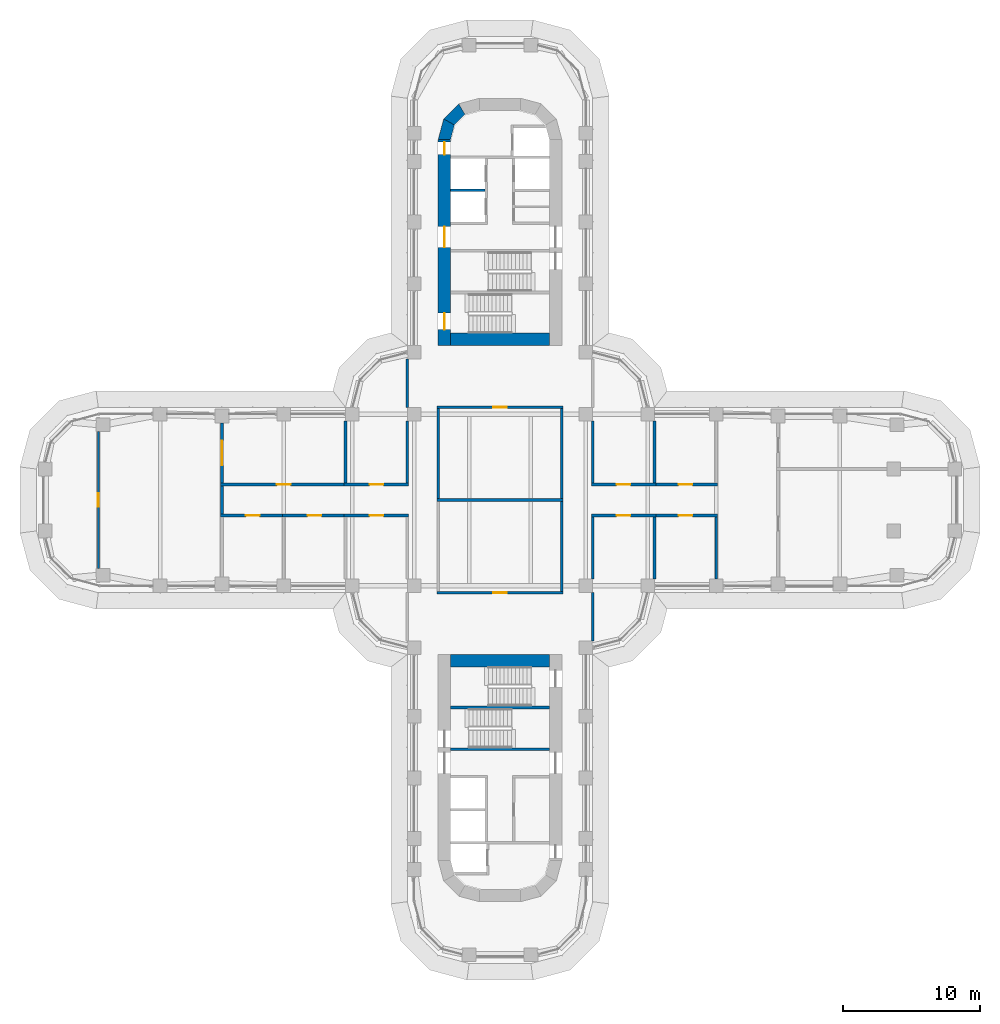
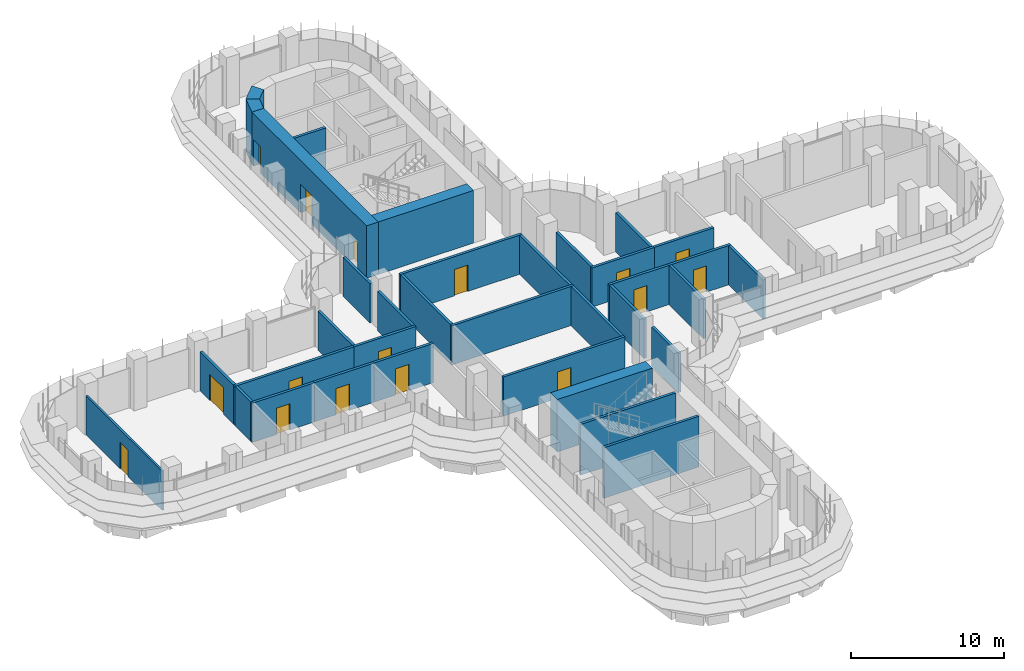
# One storey, part 17 of 23: 35 walls, 16 doors, 16 openings.
"""IFC4 building model written with IfcOpenShell, lengths in metres."""

from ifc_helpers import new_model, si_unit, direction, frame, frame_2d, origin, place, context, subcontext, project, spatial, polyline, rectangle, outline, extrude, material, layer, layer_set, type_object, element, fill, save


model = new_model("IFC4")

# Units and contexts
model_context = context("Model", 3, precision=1e-05, world=origin(), true_north=direction((0.0, 1.0)))
body_context = subcontext(model_context, "Body", "Model", "MODEL_VIEW")
ifc_project = project(units=[si_unit("LENGTHUNIT", "METRE"), si_unit("AREAUNIT", "SQUARE_METRE"), si_unit("VOLUMEUNIT", "CUBIC_METRE"), si_unit("PLANEANGLEUNIT", "RADIAN"), si_unit("MASSUNIT", "GRAM", prefix="KILO")], contexts=[model_context])

# Site, building, storey
site_placement = place(None, origin())
site = spatial("IfcSite", under=ifc_project, at=site_placement, CompositionType="ELEMENT")
building_placement = place(site_placement, origin())
building = spatial("IfcBuilding", under=site, at=building_placement, Name="Zarbagh Exchange Tower", CompositionType="ELEMENT")
storey_placement = place(building_placement, frame((0.0, 0.0, 48.0)))
storey = spatial("IfcBuildingStorey", under=building, at=storey_placement, Name="L10", CompositionType="ELEMENT", Elevation=48.0)

# Wall, opening, door
ifc_material_1 = material(Name="Plasterboard partition")
ifc_layer_1 = layer(ifc_material_1, 0.14990234375)
ifc_layer_set_1 = layer_set([ifc_layer_1], Name="PARTITION 150")
wall_type_1 = type_object("IfcWallType", Name="PARTITION 150", PredefinedType="PARTITIONING", material=ifc_layer_set_1)
wall_1_placement = place(storey_placement, frame((-29.25, -4.97509765625, 0.0), z_axis=(0.0, 0.0, 1.0), x_axis=(0.0, 1.0, 0.0)))
wall_1 = element("IfcWall", 1, at=wall_1_placement, inside=storey, type_object=wall_type_1, Name="Partition W-339", PredefinedType="PARTITIONING", context=body_context, shape_type="SweptSolid", body=[
    extrude(rectangle(XDim=9.9501953125, YDim=0.14990234375, at=frame_2d((4.97509765625, 0.0))), origin(), (0.0, 0.0, 1.0), 3.130615234375),
])
opening_1_placement = place(wall_1_placement, frame((4.47509765625, 0.0, 0.0)))
opening_1 = element("IfcOpeningElement", 2, at=opening_1_placement, cuts=wall_1, Name="Opening D-309", PredefinedType="OPENING", context=body_context, shape_type="SweptSolid", body=[
    extrude(rectangle(XDim=1.0, YDim=2.10009765625, at=frame_2d((0.5, 1.050048828125))), frame((0.0, 0.0849609375, 0.0), z_axis=(0.0, -1.0, 0.0), x_axis=(1.0, 0.0, 0.0)), (0.0, 0.0, 1.0), 0.169921875),
])
ifc_material_2 = material(Name="Timber door leaf", Category="wood")
door_type_1 = type_object("IfcDoorType", Name="DOOR 1000 X 2100", OperationType="NOTDEFINED", PredefinedType="DOOR", material=ifc_material_2)
door_1_placement = place(opening_1_placement, origin())
door_1 = element("IfcDoor", 3, at=door_1_placement, inside=storey, type_object=door_type_1, Name="Door D-309", OperationType="SINGLE_SWING_RIGHT", OverallHeight=2.10009765625, OverallWidth=1.0, PredefinedType="DOOR", context=body_context, shape_type="SweptSolid", body=[
    extrude(rectangle(XDim=1.0, YDim=2.10009765625, at=frame_2d((0.5, 1.050048828125))), frame((0.0, 0.02490234375, 0.0), z_axis=(0.0, -1.0, 0.0), x_axis=(1.0, 0.0, 0.0)), (0.0, 0.0, 1.0), 0.050048828125),
])
fill(opening_1, door_1)

# Walls
ifc_material_3 = material(Name="Fire-rated plasterboard partition")
ifc_layer_2 = layer(ifc_material_3, 0.199951171875)
ifc_layer_set_2 = layer_set([ifc_layer_2], Name="RATED PARTITION 200")
wall_type_2 = type_object("IfcWallType", Name="RATED PARTITION 200", PredefinedType="PARTITIONING", material=ifc_layer_set_2)
wall_2_placement = place(storey_placement, frame((-4.5, 0.10009765625, 0.0), z_axis=(0.0, 0.0, 1.0), x_axis=(0.0, 1.0, 0.0)))
element("IfcWall", 4, at=wall_2_placement, inside=storey, type_object=wall_type_2, Name="Partition W-301", PredefinedType="PARTITIONING", context=body_context, shape_type="SweptSolid", body=[
    extrude(rectangle(XDim=6.5498046875, YDim=0.199951171875, at=frame_2d((3.27490234375, 0.0))), origin(), (0.0, 0.0, 1.0), 3.130615234375),
])
wall_3_placement = place(storey_placement, frame((-6.75, 1.22509765625, 0.0), z_axis=(0.0, 0.0, 1.0), x_axis=(0.0, 1.0, 0.0)))
element("IfcWall", 5, at=wall_3_placement, inside=storey, type_object=wall_type_2, Name="Partition W-303", PredefinedType="PARTITIONING", context=body_context, shape_type="SweptSolid", body=[
    extrude(rectangle(XDim=4.52490234375, YDim=0.199951171875, at=frame_2d((2.262451171875, 0.0))), origin(), (0.0, 0.0, 1.0), 3.130615234375),
])
wall_4_placement = place(storey_placement, frame((-6.75, 6.75, 0.0), z_axis=(0.0, 0.0, 1.0), x_axis=(0.0, 1.0, 0.0)))
element("IfcWall", 6, at=wall_4_placement, inside=storey, type_object=wall_type_2, Name="Partition W-304", PredefinedType="PARTITIONING", context=body_context, shape_type="SweptSolid", body=[
    extrude(rectangle(XDim=3.5, YDim=0.199951171875, at=frame_2d((1.75, 0.0))), origin(), (0.0, 0.0, 1.0), 3.130615234375),
])
for number, where, z_axis, x_axis, name in (
    (7, (4.5, 0.10009765625, 0.0), (0.0, 0.0, 1.0), (0.0, 1.0, 0.0), "Partition W-307"),
    (8, (4.5, -6.64990234375, 0.0), (0.0, 0.0, 1.0), (0.0, 1.0, 0.0), "Partition W-308"),
):
    element("IfcWall", number, at=place(storey_placement, frame(where, z_axis=z_axis, x_axis=x_axis)), inside=storey, type_object=wall_type_2, Name=name, PredefinedType="PARTITIONING", context=body_context, shape_type="SweptSolid", body=[
        extrude(rectangle(XDim=6.5498046875, YDim=0.199951171875, at=frame_2d((3.27490234375, 0.0))), origin(), (0.0, 0.0, 1.0), 3.130615234375),
    ])
wall_5_placement = place(storey_placement, frame((6.75, 1.22509765625, 0.0), z_axis=(0.0, 0.0, 1.0), x_axis=(0.0, 1.0, 0.0)))
element("IfcWall", 9, at=wall_5_placement, inside=storey, type_object=wall_type_2, Name="Partition W-309", PredefinedType="PARTITIONING", context=body_context, shape_type="SweptSolid", body=[
    extrude(rectangle(XDim=4.52490234375, YDim=0.199951171875, at=frame_2d((2.262451171875, 0.0))), origin(), (0.0, 0.0, 1.0), 3.130615234375),
])
wall_6_placement = place(storey_placement, frame((6.75, -10.25, 0.0), z_axis=(0.0, 0.0, 1.0), x_axis=(0.0, 1.0, 0.0)))
element("IfcWall", 10, at=wall_6_placement, inside=storey, type_object=wall_type_2, Name="Partition W-311", PredefinedType="PARTITIONING", context=body_context, shape_type="SweptSolid", body=[
    extrude(rectangle(XDim=3.5, YDim=0.199951171875, at=frame_2d((1.75, 0.0))), origin(), (0.0, 0.0, 1.0), 3.130615234375),
])
wall_7_placement = place(storey_placement, frame((6.75, -5.75, 0.0), z_axis=(0.0, 0.0, 1.0), x_axis=(0.0, 1.0, 0.0)))
element("IfcWall", 11, at=wall_7_placement, inside=storey, type_object=wall_type_2, Name="Partition W-312", PredefinedType="PARTITIONING", context=body_context, shape_type="SweptSolid", body=[
    extrude(rectangle(XDim=4.52490234375, YDim=0.199951171875, at=frame_2d((2.262451171875, 0.0))), origin(), (0.0, 0.0, 1.0), 3.130615234375),
])

# Wall, opening, door
wall_8_placement = place(storey_placement, frame((4.60009765625, 6.75, 0.0), z_axis=(0.0, 0.0, 1.0), x_axis=(-1.0, 0.0, 0.0)))
wall_8 = element("IfcWall", 12, at=wall_8_placement, inside=storey, type_object=wall_type_2, Name="Partition W-313", PredefinedType="PARTITIONING", context=body_context, shape_type="SweptSolid", body=[
    extrude(rectangle(XDim=9.2001953125, YDim=0.199951171875, at=frame_2d((4.60009765625, 0.0))), origin(), (0.0, 0.0, 1.0), 3.130615234375),
])
opening_2_placement = place(wall_8_placement, frame((4.10009765625, 0.0, 0.0)))
opening_2 = element("IfcOpeningElement", 13, at=opening_2_placement, cuts=wall_8, Name="Opening D-301", PredefinedType="OPENING", context=body_context, shape_type="SweptSolid", body=[
    extrude(rectangle(XDim=1.0, YDim=2.10009765625, at=frame_2d((0.5, 1.050048828125))), frame((0.0, 0.10986328125, 0.0), z_axis=(0.0, -1.0, 0.0), x_axis=(1.0, 0.0, 0.0)), (0.0, 0.0, 1.0), 0.219970703125),
])
ifc_material_4 = material(Name="Steel door set", Category="steel")
door_type_2 = type_object("IfcDoorType", Name="FIRE DOOR 1000 X 2100 FD30S", OperationType="NOTDEFINED", PredefinedType="DOOR", material=ifc_material_4)
door_2_placement = place(opening_2_placement, origin())
door_2 = element("IfcDoor", 14, at=door_2_placement, inside=storey, type_object=door_type_2, Name="Door D-301", OperationType="SINGLE_SWING_RIGHT", OverallHeight=2.10009765625, OverallWidth=1.0, PredefinedType="DOOR", context=body_context, shape_type="SweptSolid", body=[
    extrude(rectangle(XDim=1.0, YDim=2.10009765625, at=frame_2d((0.5, 1.050048828125))), frame((0.0, 0.02490234375, 0.0), z_axis=(0.0, -1.0, 0.0), x_axis=(1.0, 0.0, 0.0)), (0.0, 0.0, 1.0), 0.050048828125),
])
fill(opening_2, door_2)

wall_9_placement = place(storey_placement, frame((-4.60009765625, -6.75, 0.0), z_axis=(0.0, 0.0, 1.0), x_axis=(1.0, 0.0, 0.0)))
wall_9 = element("IfcWall", 15, at=wall_9_placement, inside=storey, type_object=wall_type_2, Name="Partition W-314", PredefinedType="PARTITIONING", context=body_context, shape_type="SweptSolid", body=[
    extrude(rectangle(XDim=9.2001953125, YDim=0.199951171875, at=frame_2d((4.60009765625, 0.0))), origin(), (0.0, 0.0, 1.0), 3.130615234375),
])
opening_3_placement = place(wall_9_placement, frame((4.10009765625, 0.0, 0.0)))
opening_3 = element("IfcOpeningElement", 16, at=opening_3_placement, cuts=wall_9, Name="Opening D-302", PredefinedType="OPENING", context=body_context, shape_type="SweptSolid", body=[
    extrude(rectangle(XDim=1.0, YDim=2.10009765625, at=frame_2d((0.5, 1.050048828125))), frame((0.0, 0.10986328125, 0.0), z_axis=(0.0, -1.0, 0.0), x_axis=(1.0, 0.0, 0.0)), (0.0, 0.0, 1.0), 0.219970703125),
])
door_3_placement = place(opening_3_placement, origin())
door_3 = element("IfcDoor", 17, at=door_3_placement, inside=storey, type_object=door_type_2, Name="Door D-302", OperationType="SINGLE_SWING_RIGHT", OverallHeight=2.10009765625, OverallWidth=1.0, PredefinedType="DOOR", context=body_context, shape_type="SweptSolid", body=[
    extrude(rectangle(XDim=1.0, YDim=2.10009765625, at=frame_2d((0.5, 1.050048828125))), frame((0.0, 0.02490234375, 0.0), z_axis=(0.0, -1.0, 0.0), x_axis=(1.0, 0.0, 0.0)), (0.0, 0.0, 1.0), 0.050048828125),
])
fill(opening_3, door_3)

# Wall
wall_10_placement = place(storey_placement, frame((-4.60009765625, 0.0, 0.0), z_axis=(0.0, 0.0, 1.0), x_axis=(1.0, 0.0, 0.0)))
element("IfcWall", 18, at=wall_10_placement, inside=storey, type_object=wall_type_2, Name="Partition W-315", PredefinedType="PARTITIONING", context=body_context, shape_type="SweptSolid", body=[
    extrude(rectangle(XDim=9.2001953125, YDim=0.199951171875, at=frame_2d((4.60009765625, 0.0))), origin(), (0.0, 0.0, 1.0), 3.130615234375),
])

# Wall, opening, door
wall_11_placement = place(storey_placement, frame((6.64990234375, 1.125, 0.0), z_axis=(0.0, 0.0, 1.0), x_axis=(1.0, 0.0, 0.0)))
wall_11 = element("IfcWall", 19, at=wall_11_placement, inside=storey, type_object=wall_type_2, Name="Partition W-316", PredefinedType="PARTITIONING", context=body_context, shape_type="SweptSolid", body=[
    extrude(rectangle(XDim=4.7001953125, YDim=0.199951171875, at=frame_2d((2.35009765625, 0.0))), origin(), (0.0, 0.0, 1.0), 3.130615234375),
])
opening_4_placement = place(wall_11_placement, frame((1.85009765625, 0.0, 0.0)))
opening_4 = element("IfcOpeningElement", 20, at=opening_4_placement, cuts=wall_11, Name="Opening D-303", PredefinedType="OPENING", context=body_context, shape_type="SweptSolid", body=[
    extrude(rectangle(XDim=1.0, YDim=2.10009765625, at=frame_2d((0.5, 1.050048828125))), frame((0.0, 0.10986328125, 0.0), z_axis=(0.0, -1.0, 0.0), x_axis=(1.0, 0.0, 0.0)), (0.0, 0.0, 1.0), 0.219970703125),
])
door_4_placement = place(opening_4_placement, origin())
door_4 = element("IfcDoor", 21, at=door_4_placement, inside=storey, type_object=door_type_2, Name="Door D-303", OperationType="SINGLE_SWING_RIGHT", OverallHeight=2.10009765625, OverallWidth=1.0, PredefinedType="DOOR", context=body_context, shape_type="SweptSolid", body=[
    extrude(rectangle(XDim=1.0, YDim=2.10009765625, at=frame_2d((0.5, 1.050048828125))), frame((0.0, 0.02490234375, 0.0), z_axis=(0.0, -1.0, 0.0), x_axis=(1.0, 0.0, 0.0)), (0.0, 0.0, 1.0), 0.050048828125),
])
fill(opening_4, door_4)

wall_12_placement = place(storey_placement, frame((11.35009765625, -1.125, 0.0), z_axis=(0.0, 0.0, 1.0), x_axis=(-1.0, 0.0, 0.0)))
wall_12 = element("IfcWall", 22, at=wall_12_placement, inside=storey, type_object=wall_type_2, Name="Partition W-317", PredefinedType="PARTITIONING", context=body_context, shape_type="SweptSolid", body=[
    extrude(rectangle(XDim=4.7001953125, YDim=0.199951171875, at=frame_2d((2.35009765625, 0.0))), origin(), (0.0, 0.0, 1.0), 3.130615234375),
])
opening_5_placement = place(wall_12_placement, frame((1.85009765625, 0.0, 0.0)))
opening_5 = element("IfcOpeningElement", 23, at=opening_5_placement, cuts=wall_12, Name="Opening D-305", PredefinedType="OPENING", context=body_context, shape_type="SweptSolid", body=[
    extrude(rectangle(XDim=1.0, YDim=2.10009765625, at=frame_2d((0.5, 1.050048828125))), frame((0.0, 0.10986328125, 0.0), z_axis=(0.0, -1.0, 0.0), x_axis=(1.0, 0.0, 0.0)), (0.0, 0.0, 1.0), 0.219970703125),
])
door_5_placement = place(opening_5_placement, origin())
door_5 = element("IfcDoor", 24, at=door_5_placement, inside=storey, type_object=door_type_2, Name="Door D-305", OperationType="SINGLE_SWING_RIGHT", OverallHeight=2.10009765625, OverallWidth=1.0, PredefinedType="DOOR", context=body_context, shape_type="SweptSolid", body=[
    extrude(rectangle(XDim=1.0, YDim=2.10009765625, at=frame_2d((0.5, 1.050048828125))), frame((0.0, 0.02490234375, 0.0), z_axis=(0.0, -1.0, 0.0), x_axis=(1.0, 0.0, 0.0)), (0.0, 0.0, 1.0), 0.050048828125),
])
fill(opening_5, door_5)

wall_13_placement = place(storey_placement, frame((11.14990234375, 1.125, 0.0), z_axis=(0.0, 0.0, 1.0), x_axis=(1.0, 0.0, 0.0)))
wall_13 = element("IfcWall", 25, at=wall_13_placement, inside=storey, type_object=wall_type_2, Name="Partition W-318", PredefinedType="PARTITIONING", context=body_context, shape_type="SweptSolid", body=[
    extrude(rectangle(XDim=4.7001953125, YDim=0.199951171875, at=frame_2d((2.35009765625, 0.0))), origin(), (0.0, 0.0, 1.0), 3.130615234375),
])
opening_6_placement = place(wall_13_placement, frame((1.85009765625, 0.0, 0.0)))
opening_6 = element("IfcOpeningElement", 26, at=opening_6_placement, cuts=wall_13, Name="Opening D-304", PredefinedType="OPENING", context=body_context, shape_type="SweptSolid", body=[
    extrude(rectangle(XDim=1.0, YDim=2.10009765625, at=frame_2d((0.5, 1.050048828125))), frame((0.0, 0.10986328125, 0.0), z_axis=(0.0, -1.0, 0.0), x_axis=(1.0, 0.0, 0.0)), (0.0, 0.0, 1.0), 0.219970703125),
])
door_6_placement = place(opening_6_placement, origin())
door_6 = element("IfcDoor", 27, at=door_6_placement, inside=storey, type_object=door_type_2, Name="Door D-304", OperationType="SINGLE_SWING_RIGHT", OverallHeight=2.10009765625, OverallWidth=1.0, PredefinedType="DOOR", context=body_context, shape_type="SweptSolid", body=[
    extrude(rectangle(XDim=1.0, YDim=2.10009765625, at=frame_2d((0.5, 1.050048828125))), frame((0.0, 0.02490234375, 0.0), z_axis=(0.0, -1.0, 0.0), x_axis=(1.0, 0.0, 0.0)), (0.0, 0.0, 1.0), 0.050048828125),
])
fill(opening_6, door_6)

wall_14_placement = place(storey_placement, frame((15.85009765625, -1.125, 0.0), z_axis=(0.0, 0.0, 1.0), x_axis=(-1.0, 0.0, 0.0)))
wall_14 = element("IfcWall", 28, at=wall_14_placement, inside=storey, type_object=wall_type_2, Name="Partition W-319", PredefinedType="PARTITIONING", context=body_context, shape_type="SweptSolid", body=[
    extrude(rectangle(XDim=4.7001953125, YDim=0.199951171875, at=frame_2d((2.35009765625, 0.0))), origin(), (0.0, 0.0, 1.0), 3.130615234375),
])
opening_7_placement = place(wall_14_placement, frame((1.85009765625, 0.0, 0.0)))
opening_7 = element("IfcOpeningElement", 29, at=opening_7_placement, cuts=wall_14, Name="Opening D-306", PredefinedType="OPENING", context=body_context, shape_type="SweptSolid", body=[
    extrude(rectangle(XDim=1.0, YDim=2.10009765625, at=frame_2d((0.5, 1.050048828125))), frame((0.0, 0.10986328125, 0.0), z_axis=(0.0, -1.0, 0.0), x_axis=(1.0, 0.0, 0.0)), (0.0, 0.0, 1.0), 0.219970703125),
])
door_7_placement = place(opening_7_placement, origin())
door_7 = element("IfcDoor", 30, at=door_7_placement, inside=storey, type_object=door_type_2, Name="Door D-306", OperationType="SINGLE_SWING_RIGHT", OverallHeight=2.10009765625, OverallWidth=1.0, PredefinedType="DOOR", context=body_context, shape_type="SweptSolid", body=[
    extrude(rectangle(XDim=1.0, YDim=2.10009765625, at=frame_2d((0.5, 1.050048828125))), frame((0.0, 0.02490234375, 0.0), z_axis=(0.0, -1.0, 0.0), x_axis=(1.0, 0.0, 0.0)), (0.0, 0.0, 1.0), 0.050048828125),
])
fill(opening_7, door_7)

# Walls
for number, where, z_axis, x_axis, name in (
    (31, (11.25, 1.22509765625, 0.0), (0.0, 0.0, 1.0), (0.0, 1.0, 0.0), "Partition W-320"),
    (32, (11.25, -5.75, 0.0), (0.0, 0.0, 1.0), (0.0, 1.0, 0.0), "Partition W-321"),
    (33, (15.75, -5.75, 0.0), (0.0, 0.0, 1.0), (0.0, 1.0, 0.0), "Partition W-323"),
):
    element("IfcWall", number, at=place(storey_placement, frame(where, z_axis=z_axis, x_axis=x_axis)), inside=storey, type_object=wall_type_2, Name=name, PredefinedType="PARTITIONING", context=body_context, shape_type="SweptSolid", body=[
        extrude(rectangle(XDim=4.52490234375, YDim=0.199951171875, at=frame_2d((2.262451171875, 0.0))), origin(), (0.0, 0.0, 1.0), 3.130615234375),
    ])

# Wall, opening, door
wall_15_placement = place(storey_placement, frame((-11.35009765625, 1.125, 0.0), z_axis=(0.0, 0.0, 1.0), x_axis=(1.0, 0.0, 0.0)))
wall_15 = element("IfcWall", 34, at=wall_15_placement, inside=storey, type_object=wall_type_2, Name="Partition W-328", PredefinedType="PARTITIONING", context=body_context, shape_type="SweptSolid", body=[
    extrude(rectangle(XDim=4.7001953125, YDim=0.199951171875, at=frame_2d((2.35009765625, 0.0))), origin(), (0.0, 0.0, 1.0), 3.130615234375),
])
opening_8_placement = place(wall_15_placement, frame((1.85009765625, 0.0, 0.0)))
opening_8 = element("IfcOpeningElement", 35, at=opening_8_placement, cuts=wall_15, Name="Opening D-311", PredefinedType="OPENING", context=body_context, shape_type="SweptSolid", body=[
    extrude(rectangle(XDim=1.0, YDim=2.10009765625, at=frame_2d((0.5, 1.050048828125))), frame((0.0, 0.10986328125, 0.0), z_axis=(0.0, -1.0, 0.0), x_axis=(1.0, 0.0, 0.0)), (0.0, 0.0, 1.0), 0.219970703125),
])
door_8_placement = place(opening_8_placement, origin())
door_8 = element("IfcDoor", 36, at=door_8_placement, inside=storey, type_object=door_type_2, Name="Door D-311", OperationType="SINGLE_SWING_RIGHT", OverallHeight=2.10009765625, OverallWidth=1.0, PredefinedType="DOOR", context=body_context, shape_type="SweptSolid", body=[
    extrude(rectangle(XDim=1.0, YDim=2.10009765625, at=frame_2d((0.5, 1.050048828125))), frame((0.0, 0.02490234375, 0.0), z_axis=(0.0, -1.0, 0.0), x_axis=(1.0, 0.0, 0.0)), (0.0, 0.0, 1.0), 0.050048828125),
])
fill(opening_8, door_8)

wall_16_placement = place(storey_placement, frame((-6.64990234375, -1.125, 0.0), z_axis=(0.0, 0.0, 1.0), x_axis=(-1.0, 0.0, 0.0)))
wall_16 = element("IfcWall", 37, at=wall_16_placement, inside=storey, type_object=wall_type_2, Name="Partition W-329", PredefinedType="PARTITIONING", context=body_context, shape_type="SweptSolid", body=[
    extrude(rectangle(XDim=4.7001953125, YDim=0.199951171875, at=frame_2d((2.35009765625, 0.0))), origin(), (0.0, 0.0, 1.0), 3.130615234375),
])
opening_9_placement = place(wall_16_placement, frame((1.85009765625, 0.0, 0.0)))
opening_9 = element("IfcOpeningElement", 38, at=opening_9_placement, cuts=wall_16, Name="Opening D-313", PredefinedType="OPENING", context=body_context, shape_type="SweptSolid", body=[
    extrude(rectangle(XDim=1.0, YDim=2.10009765625, at=frame_2d((0.5, 1.050048828125))), frame((0.0, 0.10986328125, 0.0), z_axis=(0.0, -1.0, 0.0), x_axis=(1.0, 0.0, 0.0)), (0.0, 0.0, 1.0), 0.219970703125),
])
door_9_placement = place(opening_9_placement, origin())
door_9 = element("IfcDoor", 39, at=door_9_placement, inside=storey, type_object=door_type_2, Name="Door D-313", OperationType="SINGLE_SWING_RIGHT", OverallHeight=2.10009765625, OverallWidth=1.0, PredefinedType="DOOR", context=body_context, shape_type="SweptSolid", body=[
    extrude(rectangle(XDim=1.0, YDim=2.10009765625, at=frame_2d((0.5, 1.050048828125))), frame((0.0, 0.02490234375, 0.0), z_axis=(0.0, -1.0, 0.0), x_axis=(1.0, 0.0, 0.0)), (0.0, 0.0, 1.0), 0.050048828125),
])
fill(opening_9, door_9)

wall_17_placement = place(storey_placement, frame((-20.35009765625, 1.125, 0.0), z_axis=(0.0, 0.0, 1.0), x_axis=(1.0, 0.0, 0.0)))
wall_17 = element("IfcWall", 40, at=wall_17_placement, inside=storey, type_object=wall_type_2, Name="Partition W-330", PredefinedType="PARTITIONING", context=body_context, shape_type="SweptSolid", body=[
    extrude(rectangle(XDim=9.2001953125, YDim=0.199951171875, at=frame_2d((4.60009765625, 0.0))), origin(), (0.0, 0.0, 1.0), 3.130615234375),
])
opening_10_placement = place(wall_17_placement, frame((4.10009765625, 0.0, 0.0)))
opening_10 = element("IfcOpeningElement", 41, at=opening_10_placement, cuts=wall_17, Name="Opening D-312", PredefinedType="OPENING", context=body_context, shape_type="SweptSolid", body=[
    extrude(rectangle(XDim=1.0, YDim=2.10009765625, at=frame_2d((0.5, 1.050048828125))), frame((0.0, 0.10986328125, 0.0), z_axis=(0.0, -1.0, 0.0), x_axis=(1.0, 0.0, 0.0)), (0.0, 0.0, 1.0), 0.219970703125),
])
door_10_placement = place(opening_10_placement, origin())
door_10 = element("IfcDoor", 42, at=door_10_placement, inside=storey, type_object=door_type_2, Name="Door D-312", OperationType="SINGLE_SWING_RIGHT", OverallHeight=2.10009765625, OverallWidth=1.0, PredefinedType="DOOR", context=body_context, shape_type="SweptSolid", body=[
    extrude(rectangle(XDim=1.0, YDim=2.10009765625, at=frame_2d((0.5, 1.050048828125))), frame((0.0, 0.02490234375, 0.0), z_axis=(0.0, -1.0, 0.0), x_axis=(1.0, 0.0, 0.0)), (0.0, 0.0, 1.0), 0.050048828125),
])
fill(opening_10, door_10)

wall_18_placement = place(storey_placement, frame((-11.14990234375, -1.125, 0.0), z_axis=(0.0, 0.0, 1.0), x_axis=(-1.0, 0.0, 0.0)))
wall_18 = element("IfcWall", 43, at=wall_18_placement, inside=storey, type_object=wall_type_2, Name="Partition W-331", PredefinedType="PARTITIONING", context=body_context, shape_type="SweptSolid", body=[
    extrude(rectangle(XDim=4.7001953125, YDim=0.199951171875, at=frame_2d((2.35009765625, 0.0))), origin(), (0.0, 0.0, 1.0), 3.130615234375),
])
opening_11_placement = place(wall_18_placement, frame((1.85009765625, 0.0, 0.0)))
opening_11 = element("IfcOpeningElement", 44, at=opening_11_placement, cuts=wall_18, Name="Opening D-314", PredefinedType="OPENING", context=body_context, shape_type="SweptSolid", body=[
    extrude(rectangle(XDim=1.0, YDim=2.10009765625, at=frame_2d((0.5, 1.050048828125))), frame((0.0, 0.10986328125, 0.0), z_axis=(0.0, -1.0, 0.0), x_axis=(1.0, 0.0, 0.0)), (0.0, 0.0, 1.0), 0.219970703125),
])
door_11_placement = place(opening_11_placement, origin())
door_11 = element("IfcDoor", 45, at=door_11_placement, inside=storey, type_object=door_type_2, Name="Door D-314", OperationType="SINGLE_SWING_RIGHT", OverallHeight=2.10009765625, OverallWidth=1.0, PredefinedType="DOOR", context=body_context, shape_type="SweptSolid", body=[
    extrude(rectangle(XDim=1.0, YDim=2.10009765625, at=frame_2d((0.5, 1.050048828125))), frame((0.0, 0.02490234375, 0.0), z_axis=(0.0, -1.0, 0.0), x_axis=(1.0, 0.0, 0.0)), (0.0, 0.0, 1.0), 0.050048828125),
])
fill(opening_11, door_11)

wall_19_placement = place(storey_placement, frame((-15.64990234375, -1.125, 0.0), z_axis=(0.0, 0.0, 1.0), x_axis=(-1.0, 0.0, 0.0)))
wall_19 = element("IfcWall", 46, at=wall_19_placement, inside=storey, type_object=wall_type_2, Name="Partition W-332", PredefinedType="PARTITIONING", context=body_context, shape_type="SweptSolid", body=[
    extrude(rectangle(XDim=4.7001953125, YDim=0.199951171875, at=frame_2d((2.35009765625, 0.0))), origin(), (0.0, 0.0, 1.0), 3.130615234375),
])
opening_12_placement = place(wall_19_placement, frame((1.85009765625, 0.0, 0.0)))
opening_12 = element("IfcOpeningElement", 47, at=opening_12_placement, cuts=wall_19, Name="Opening D-315", PredefinedType="OPENING", context=body_context, shape_type="SweptSolid", body=[
    extrude(rectangle(XDim=1.0, YDim=2.10009765625, at=frame_2d((0.5, 1.050048828125))), frame((0.0, 0.10986328125, 0.0), z_axis=(0.0, -1.0, 0.0), x_axis=(1.0, 0.0, 0.0)), (0.0, 0.0, 1.0), 0.219970703125),
])
door_12_placement = place(opening_12_placement, origin())
door_12 = element("IfcDoor", 48, at=door_12_placement, inside=storey, type_object=door_type_2, Name="Door D-315", OperationType="SINGLE_SWING_LEFT", OverallHeight=2.10009765625, OverallWidth=1.0, PredefinedType="DOOR", context=body_context, shape_type="SweptSolid", body=[
    extrude(rectangle(XDim=1.0, YDim=2.10009765625, at=frame_2d((0.5, 1.050048828125))), frame((0.0, 0.02490234375, 0.0), z_axis=(0.0, -1.0, 0.0), x_axis=(1.0, 0.0, 0.0)), (0.0, 0.0, 1.0), 0.050048828125),
])
fill(opening_12, door_12)

# Walls
wall_20_placement = place(storey_placement, frame((-20.25, -1.02490234375, 0.0), z_axis=(0.0, 0.0, 1.0), x_axis=(0.0, 1.0, 0.0)))
element("IfcWall", 49, at=wall_20_placement, inside=storey, type_object=wall_type_2, Name="Partition W-333", PredefinedType="PARTITIONING", context=body_context, shape_type="SweptSolid", body=[
    extrude(rectangle(XDim=2.0498046875, YDim=0.199951171875, at=frame_2d((1.02490234375, 0.0))), origin(), (0.0, 0.0, 1.0), 3.130615234375),
])
wall_21_placement = place(storey_placement, frame((-11.25, 1.22509765625, 0.0), z_axis=(0.0, 0.0, 1.0), x_axis=(0.0, 1.0, 0.0)))
element("IfcWall", 50, at=wall_21_placement, inside=storey, type_object=wall_type_2, Name="Partition W-334", PredefinedType="PARTITIONING", context=body_context, shape_type="SweptSolid", body=[
    extrude(rectangle(XDim=4.52490234375, YDim=0.199951171875, at=frame_2d((2.262451171875, 0.0))), origin(), (0.0, 0.0, 1.0), 3.130615234375),
])

# Wall, opening, door
wall_22_placement = place(storey_placement, frame((-20.25, 1.22509765625, 0.0), z_axis=(0.0, 0.0, 1.0), x_axis=(0.0, 1.0, 0.0)))
wall_22 = element("IfcWall", 51, at=wall_22_placement, inside=storey, type_object=wall_type_2, Name="Partition W-336", PredefinedType="PARTITIONING", context=body_context, shape_type="SweptSolid", body=[
    extrude(rectangle(XDim=4.385009765625, YDim=0.199951171875, at=frame_2d((2.1923828125, 0.0))), origin(), (0.0, 0.0, 1.0), 3.130615234375),
])
opening_13_placement = place(wall_22_placement, frame((1.29248046875, 0.0, 0.0)))
opening_13 = element("IfcOpeningElement", 52, at=opening_13_placement, cuts=wall_22, Name="Opening D-310", PredefinedType="OPENING", context=body_context, shape_type="SweptSolid", body=[
    extrude(rectangle(XDim=1.800048828125, YDim=2.10009765625, at=frame_2d((0.89990234375, 1.050048828125))), frame((0.0, 0.10986328125, 0.0), z_axis=(0.0, -1.0, 0.0), x_axis=(1.0, 0.0, 0.0)), (0.0, 0.0, 1.0), 0.219970703125),
])
door_type_3 = type_object("IfcDoorType", Name="FIRE DOUBLE DOOR 1800 X 2100 FD30S", OperationType="DOUBLE_DOOR_SINGLE_SWING", PredefinedType="DOOR", material=ifc_material_4)
door_13_placement = place(opening_13_placement, origin())
door_13 = element("IfcDoor", 53, at=door_13_placement, inside=storey, type_object=door_type_3, Name="Door D-310", OperationType="DOUBLE_DOOR_SINGLE_SWING", OverallHeight=2.10009765625, OverallWidth=1.800048828125, PredefinedType="DOOR", context=body_context, shape_type="SweptSolid", body=[
    extrude(rectangle(XDim=1.800048828125, YDim=2.10009765625, at=frame_2d((0.89990234375, 1.050048828125))), frame((0.0, 0.02490234375, 0.0), z_axis=(0.0, -1.0, 0.0), x_axis=(1.0, 0.0, 0.0)), (0.0, 0.0, 1.0), 0.050048828125),
])
fill(opening_13, door_13)

# Walls
ifc_material_5 = material(Name="Concrete C60/75", Category="concrete")
ifc_layer_3 = layer(ifc_material_5, 0.89990234375)
ifc_layer_set_3 = layer_set([ifc_layer_3], Name="RC core corner wall 900 C60/75")
wall_type_3 = type_object("IfcWallType", Name="RC core corner wall 900 C60/75", PredefinedType="SHEAR", material=ifc_layer_set_3)
wall_23_placement = place(storey_placement, origin())
element("IfcWall", 54, at=wall_23_placement, inside=storey, type_object=wall_type_3, Name="CW2 core N corner W", PredefinedType="SHEAR", context=body_context, shape_type="SweptSolid", body=[
    extrude(outline(polyline([(-4.5, 26.25), (-4.09814453125, 27.75), (-3.318603515625, 27.300048828125), (-3.60009765625, 26.25), (-4.5, 26.25)])), origin(), (0.0, 0.0, 1.0), 4.199951171875),
])
wall_24_placement = place(storey_placement, origin())
element("IfcWall", 55, at=wall_24_placement, inside=storey, type_object=wall_type_3, Name="CW2 core N corner W", PredefinedType="SHEAR", context=body_context, shape_type="SweptSolid", body=[
    extrude(outline(polyline([(-4.09814453125, 27.75), (-3.0, 28.84814453125), (-2.550048828125, 28.068603515625), (-3.318603515625, 27.300048828125), (-4.09814453125, 27.75)])), origin(), (0.0, 0.0, 1.0), 4.199951171875),
])

# Wall, openings, doors
ifc_layer_4 = layer(ifc_material_5, 0.89990234375)
ifc_layer_set_4 = layer_set([ifc_layer_4], Name="RC core wall 900 C60/75")
wall_type_4 = type_object("IfcWallType", Name="RC core wall 900 C60/75", PredefinedType="SHEAR", material=ifc_layer_set_4)
wall_25_placement = place(storey_placement, frame((-4.050048828125, 11.25, 0.0), z_axis=(0.0, 0.0, 1.0), x_axis=(0.0, 1.0, 0.0)))
wall_25 = element("IfcWall", 56, at=wall_25_placement, inside=storey, type_object=wall_type_4, Name="CW1 core N W", PredefinedType="SHEAR", context=body_context, shape_type="SweptSolid", body=[
    extrude(rectangle(XDim=15.0, YDim=0.89990234375, at=frame_2d((7.5, 0.0))), origin(), (0.0, 0.0, 1.0), 4.199951171875),
])
opening_14_placement = place(wall_25_placement, frame((7.14990234375, 0.0, 0.0)))
opening_14 = element("IfcOpeningElement", 57, at=opening_14_placement, cuts=wall_25, Name="Opening CD1-1500", PredefinedType="OPENING", context=body_context, shape_type="SweptSolid", body=[
    extrude(rectangle(XDim=1.5, YDim=2.300048828125, at=frame_2d((0.75, 1.14990234375))), frame((0.0, 0.4599609375, 0.0), z_axis=(0.0, -1.0, 0.0), x_axis=(1.0, 0.0, 0.0)), (0.0, 0.0, 1.0), 0.919921875),
])
opening_15_placement = place(wall_25_placement, frame((13.89990234375, 0.0, 0.0)))
opening_15 = element("IfcOpeningElement", 58, at=opening_15_placement, cuts=wall_25, Name="Opening CD2-900", PredefinedType="OPENING", context=body_context, shape_type="SweptSolid", body=[
    extrude(rectangle(XDim=0.89990234375, YDim=2.10009765625, at=frame_2d((0.449951171875, 1.050048828125))), frame((0.0, 0.4599609375, 0.0), z_axis=(0.0, -1.0, 0.0), x_axis=(1.0, 0.0, 0.0)), (0.0, 0.0, 1.0), 0.919921875),
])
opening_16_placement = place(wall_25_placement, frame((1.14990234375, 0.0, 0.0)))
opening_16 = element("IfcOpeningElement", 59, at=opening_16_placement, cuts=wall_25, Name="Opening SD1-1200", PredefinedType="OPENING", context=body_context, shape_type="SweptSolid", body=[
    extrude(rectangle(XDim=1.199951171875, YDim=2.10009765625, at=frame_2d((0.60009765625, 1.050048828125))), frame((0.0, 0.4599609375, 0.0), z_axis=(0.0, -1.0, 0.0), x_axis=(1.0, 0.0, 0.0)), (0.0, 0.0, 1.0), 0.919921875),
])
ifc_material_6 = material(Name="Steel", Category="steel")
door_type_4 = type_object("IfcDoorType", Name="Exit stair door 1200 x 2100", OperationType="NOTDEFINED", PredefinedType="DOOR", material=ifc_material_6)
door_14_placement = place(opening_16_placement, origin())
door_14 = element("IfcDoor", 60, at=door_14_placement, inside=storey, type_object=door_type_4, Name="North core stair door ST2", OperationType="SINGLE_SWING_LEFT", OverallHeight=2.10009765625, OverallWidth=1.199951171875, PredefinedType="DOOR", context=body_context, shape_type="SweptSolid", body=[
    extrude(rectangle(XDim=1.199951171875, YDim=2.10009765625, at=frame_2d((0.60009765625, 1.050048828125))), frame((0.0, 0.02490234375, 0.0), z_axis=(0.0, -1.0, 0.0), x_axis=(1.0, 0.0, 0.0)), (0.0, 0.0, 1.0), 0.050048828125),
])
fill(opening_16, door_14)
door_type_5 = type_object("IfcDoorType", Name="Firefighting lobby door 900 x 2100", OperationType="NOTDEFINED", PredefinedType="DOOR", material=ifc_material_6)
door_15_placement = place(opening_15_placement, origin())
door_15 = element("IfcDoor", 61, at=door_15_placement, inside=storey, type_object=door_type_5, Name="North core firefighting lobby door FF-W", OperationType="SINGLE_SWING_RIGHT", OverallHeight=2.10009765625, OverallWidth=0.89990234375, PredefinedType="DOOR", context=body_context, shape_type="SweptSolid", body=[
    extrude(rectangle(XDim=0.89990234375, YDim=2.10009765625, at=frame_2d((0.449951171875, 1.050048828125))), frame((0.0, 0.02490234375, 0.0), z_axis=(0.0, -1.0, 0.0), x_axis=(1.0, 0.0, 0.0)), (0.0, 0.0, 1.0), 0.050048828125),
])
fill(opening_15, door_15)
door_type_6 = type_object("IfcDoorType", Name="Lift lobby double door 1500 x 2300", OperationType="NOTDEFINED", PredefinedType="DOOR", material=ifc_material_6)
door_16_placement = place(opening_14_placement, origin())
door_16 = element("IfcDoor", 62, at=door_16_placement, inside=storey, type_object=door_type_6, Name="North core lift lobby door LOBBY-W", OperationType="DOUBLE_DOOR_SINGLE_SWING", OverallHeight=2.300048828125, OverallWidth=1.5, PredefinedType="DOOR", context=body_context, shape_type="SweptSolid", body=[
    extrude(rectangle(XDim=1.5, YDim=2.300048828125, at=frame_2d((0.75, 1.14990234375))), frame((0.0, 0.02490234375, 0.0), z_axis=(0.0, -1.0, 0.0), x_axis=(1.0, 0.0, 0.0)), (0.0, 0.0, 1.0), 0.050048828125),
])
fill(opening_14, door_16)

# Walls
for number, where, z_axis, x_axis, name in (
    (63, (-3.60009765625, 11.699951171875, 0.0), (0.0, 0.0, 1.0), (1.0, 0.0, 0.0), "CW1 core N inner end"),
    (64, (-3.60009765625, -11.699951171875, 0.0), (0.0, 0.0, 1.0), (1.0, 0.0, 0.0), "CW1 core S inner end"),
):
    element("IfcWall", number, at=place(storey_placement, frame(where, z_axis=z_axis, x_axis=x_axis)), inside=storey, type_object=wall_type_4, Name=name, PredefinedType="SHEAR", context=body_context, shape_type="SweptSolid", body=[
        extrude(rectangle(XDim=7.2001953125, YDim=0.89990234375, at=frame_2d((3.60009765625, 0.0))), origin(), (0.0, 0.0, 1.0), 4.199951171875),
    ])
ifc_material_7 = material(Name="Dense blockwork", Category="masonry")
ifc_layer_5 = layer(ifc_material_7, 0.199951171875)
ifc_layer_set_5 = layer_set([ifc_layer_5], Name="Shaft wall 200 mm blockwork")
wall_type_5 = type_object("IfcWallType", Name="Shaft wall 200 mm blockwork", PredefinedType="PARTITIONING", material=ifc_layer_set_5)
wall_26_placement = place(storey_placement, frame((-3.60009765625, 22.550048828125, 0.0), z_axis=(0.0, 0.0, 1.0), x_axis=(1.0, 0.0, 0.0)))
element("IfcWall", 65, at=wall_26_placement, inside=storey, type_object=wall_type_5, Name="North core shaft wall TR-W", PredefinedType="PARTITIONING", context=body_context, shape_type="SweptSolid", body=[
    extrude(rectangle(XDim=2.5, YDim=0.199951171875, at=frame_2d((1.25, 0.0))), origin(), (0.0, 0.0, 1.0), 4.050048828125),
])
ifc_material_8 = material(Name="Concrete C40/50", Category="concrete")
ifc_layer_6 = layer(ifc_material_8, 0.199951171875)
ifc_layer_set_6 = layer_set([ifc_layer_6], Name="Stair enclosure wall 200 mm RC C40/50")
wall_type_6 = type_object("IfcWallType", Name="Stair enclosure wall 200 mm RC C40/50", PredefinedType="SHEAR", material=ifc_layer_set_6)
for number, where, z_axis, x_axis, name in (
    (66, (3.60009765625, -18.14990234375, 0.0), (0.0, 0.0, 1.0), (-1.0, 0.0, 0.0), "South core stair wall BS"),
    (67, (3.60009765625, -15.10009765625, 0.0), (0.0, 0.0, 1.0), (-1.0, 0.0, 0.0), "South core stair wall ST12"),
):
    element("IfcWall", number, at=place(storey_placement, frame(where, z_axis=z_axis, x_axis=x_axis)), inside=storey, type_object=wall_type_6, Name=name, PredefinedType="SHEAR", context=body_context, shape_type="SweptSolid", body=[
        extrude(rectangle(XDim=7.2001953125, YDim=0.199951171875, at=frame_2d((3.60009765625, 0.0))), origin(), (0.0, 0.0, 1.0), 4.050048828125),
    ])

save(model, "model.ifc")
